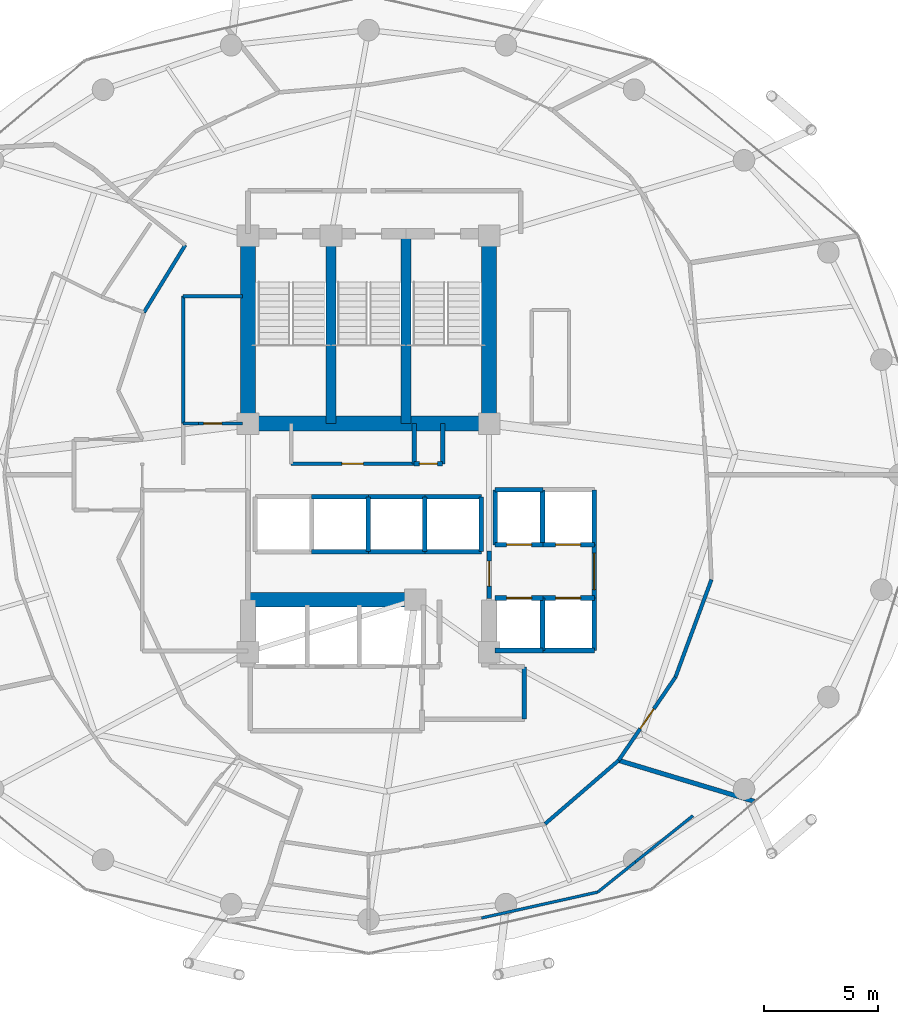
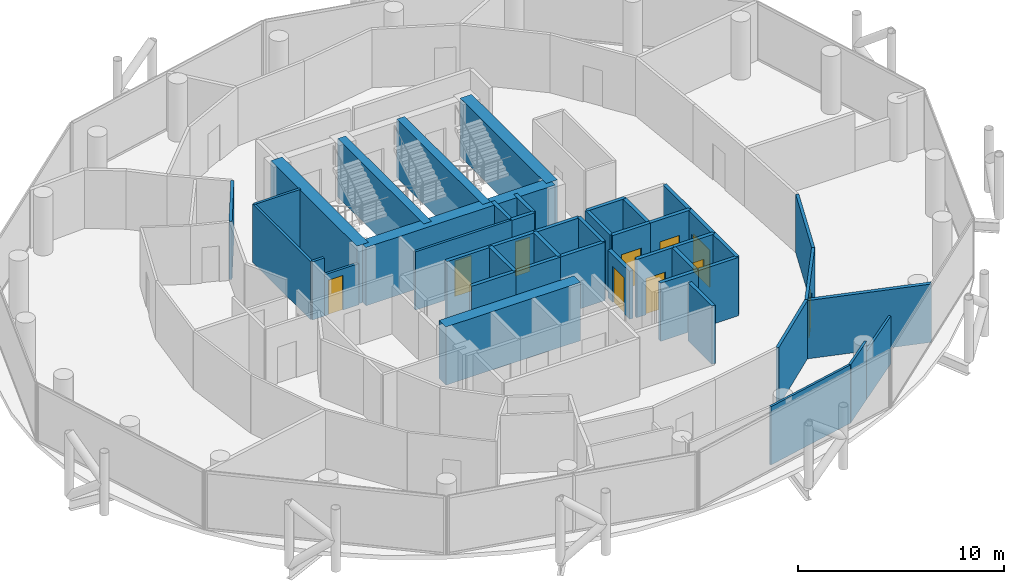
# One storey, part 23 of 26: 46 walls, 10 doors, 10 openings.
"""IFC4 building model written with IfcOpenShell, lengths in metres."""

from ifc_helpers import new_model, si_unit, direction, frame, frame_2d, origin, place, context, subcontext, project, spatial, rectangle, extrude, material, layer, layer_set, type_object, element, fill, save


model = new_model("IFC4")

# Units and contexts
model_context = context("Model", 3, precision=1e-05, world=origin(), true_north=direction((0.0, 1.0)))
body_context = subcontext(model_context, "Body", "Model", "MODEL_VIEW")
ifc_project = project(units=[si_unit("LENGTHUNIT", "METRE"), si_unit("AREAUNIT", "SQUARE_METRE"), si_unit("VOLUMEUNIT", "CUBIC_METRE"), si_unit("PLANEANGLEUNIT", "RADIAN"), si_unit("MASSUNIT", "GRAM", prefix="KILO")], contexts=[model_context])

# Site, building, storey
site_placement = place(None, origin())
site = spatial("IfcSite", under=ifc_project, at=site_placement, CompositionType="ELEMENT")
building_placement = place(site_placement, origin())
building = spatial("IfcBuilding", under=site, at=building_placement, Name="Nuhasar Tower", CompositionType="ELEMENT")
storey_placement = place(building_placement, frame((0.0, 0.0, 184.85009765625)))
storey = spatial("IfcBuildingStorey", under=building, at=storey_placement, Name="L45", CompositionType="ELEMENT", Elevation=184.85009765625)

# Walls
ifc_material_1 = material(Name="Concrete C50/60", Category="concrete")
ifc_layer_1 = layer(ifc_material_1, 0.449951171875)
ifc_layer_set_1 = layer_set([ifc_layer_1], Name="Concrete C50/60")
wall_type_1 = type_object("IfcWallType", Name="WL-CORE-450", PredefinedType="SHEAR", material=ifc_layer_set_1)
for number, where, z_axis, x_axis, name in (
    (1, (37.35009765625, 29.050048828125, 0.0), (0.0, 0.0, 1.0), (0.0, 1.0, 0.0), "L45 Stairwell Shear Wall ST01-E"),
    (2, (40.64990234375, 29.050048828125, 0.0), (0.0, 0.0, 1.0), (0.0, 1.0, 0.0), "L45 Stairwell Shear Wall ST03-E"),
):
    element("IfcWall", number, at=place(storey_placement, frame(where, z_axis=z_axis, x_axis=x_axis)), inside=storey, type_object=wall_type_1, Name=name, PredefinedType="SHEAR", context=body_context, shape_type="SweptSolid", body=[
        extrude(rectangle(XDim=8.349853515625, YDim=0.449951171875, at=frame_2d((4.1748046875, 0.0))), origin(), (0.0, 0.0, 1.0), 3.449951171875),
    ])
ifc_material_2 = material(Name="Concrete C65/80", Category="concrete")
ifc_layer_2 = layer(ifc_material_2, 0.64990234375)
ifc_layer_set_2 = layer_set([ifc_layer_2], Name="Concrete C65/80")
wall_type_2 = type_object("IfcWallType", Name="WL-CORE-650", PredefinedType="SHEAR", material=ifc_layer_set_2)
for number, where, z_axis, x_axis, name in (
    (3, (33.699951171875, 29.050048828125, 0.0), (0.0, 0.0, 1.0), (0.0, 1.0, 0.0), "L45 Core Shear Wall CW-NW CW-650"),
    (4, (44.300048828125, 29.050048828125, 0.0), (0.0, 0.0, 1.0), (0.0, 1.0, 0.0), "L45 Core Shear Wall CW-NE CW-650"),
):
    element("IfcWall", number, at=place(storey_placement, frame(where, z_axis=z_axis, x_axis=x_axis)), inside=storey, type_object=wall_type_2, Name=name, PredefinedType="SHEAR", context=body_context, shape_type="SweptSolid", body=[
        extrude(rectangle(XDim=8.349853515625, YDim=0.64990234375, at=frame_2d((4.1748046875, 0.0))), origin(), (0.0, 0.0, 1.0), 3.449951171875),
    ])
wall_1_placement = place(storey_placement, frame((33.699951171875, 29.050048828125, 0.0), z_axis=(0.0, 0.0, 1.0), x_axis=(1.0, 0.0, 0.0)))
element("IfcWall", 5, at=wall_1_placement, inside=storey, type_object=wall_type_2, Name="L45 Core Shear Wall CW-N1 CW-650", PredefinedType="SHEAR", context=body_context, shape_type="SweptSolid", body=[
    extrude(rectangle(XDim=10.60009765625, YDim=0.64990234375, at=frame_2d((5.300048828125, 0.0))), origin(), (0.0, 0.0, 1.0), 3.449951171875),
])
wall_2_placement = place(storey_placement, frame((33.699951171875, 21.300048828125, 0.0), z_axis=(0.0, 0.0, 1.0), x_axis=(1.0, 0.0, 0.0)))
element("IfcWall", 6, at=wall_2_placement, inside=storey, type_object=wall_type_2, Name="L45 Core Shear Wall CW-S1 CW-650", PredefinedType="SHEAR", context=body_context, shape_type="SweptSolid", body=[
    extrude(rectangle(XDim=7.550048828125, YDim=0.64990234375, at=frame_2d((3.77490234375, 0.0))), origin(), (0.0, 0.0, 1.0), 3.449951171875),
])
ifc_material_3 = material(Name="Gypsum Board", Category="gypsum")
ifc_layer_3 = layer(ifc_material_3, 0.159912109375)
ifc_layer_set_3 = layer_set([ifc_layer_3], Name="Gypsum Board")
wall_type_3 = type_object("IfcWallType", Name="WL-CORR-160", PredefinedType="PARTITIONING", material=ifc_layer_set_3)
wall_3_placement = place(storey_placement, frame((46.760986328125, 11.445068359375, 0.0), z_axis=(0.0, 0.0, 1.0), x_axis=(0.756921867837, 0.653505383291, 0.0)))
element("IfcWall", 7, at=wall_3_placement, inside=storey, type_object=wall_type_3, Name="L45 Interior Partition CORR-40", PredefinedType="PARTITIONING", context=body_context, shape_type="SweptSolid", body=[
    extrude(rectangle(XDim=4.275390625, YDim=0.159912109375, at=frame_2d((2.1376953125, 0.0))), origin(), (0.0, 0.0, 1.0), 3.449951171875),
])

# Wall, opening, door
wall_4_placement = place(storey_placement, frame((52.49609375, 17.89892578125, 0.0), z_axis=(0.0, 0.0, 1.0), x_axis=(-0.563895671103, -0.825846034144, 0.0)))
wall_4 = element("IfcWall", 8, at=wall_4_placement, inside=storey, type_object=wall_type_3, Name="L45 Interior Partition CORR-42", PredefinedType="PARTITIONING", context=body_context, shape_type="SweptSolid", body=[
    extrude(rectangle(XDim=4.431640625, YDim=0.159912109375, at=frame_2d((2.2158203125, 0.0))), origin(), (0.0, 0.0, 1.0), 3.449951171875),
])
opening_1_placement = place(wall_4_placement, frame((1.69091796875, 0.0, 0.0)))
opening_1 = element("IfcOpeningElement", 9, at=opening_1_placement, cuts=wall_4, Name="Opening DU-01", PredefinedType="OPENING", context=body_context, shape_type="SweptSolid", body=[
    extrude(rectangle(XDim=1.050048828125, YDim=2.14990234375, at=frame_2d((0.52490234375, 1.074951171875))), frame((0.0, 0.08984375, 0.0), z_axis=(0.0, -1.0, 0.0), x_axis=(1.0, 0.0, 0.0)), (0.0, 0.0, 1.0), 0.179931640625),
])
ifc_material_4 = material(Name="Timber Oak", Category="wood")
door_type_1 = type_object("IfcDoorType", Name="DR-SUITE-FD60-1050", OperationType="NOTDEFINED", PredefinedType="DOOR", material=ifc_material_4)
door_1_placement = place(opening_1_placement, origin())
door_1 = element("IfcDoor", 10, at=door_1_placement, inside=storey, type_object=door_type_1, Name="L45 Royal Sky Majlis Lounge Entrance Door", OperationType="SINGLE_SWING_RIGHT", OverallHeight=2.14990234375, OverallWidth=1.050048828125, PredefinedType="DOOR", context=body_context, shape_type="SweptSolid", body=[
    extrude(rectangle(XDim=1.050048828125, YDim=2.14990234375, at=frame_2d((0.52490234375, 1.074951171875))), frame((0.0, 0.02490234375, 0.0), z_axis=(0.0, -1.0, 0.0), x_axis=(1.0, 0.0, 0.0)), (0.0, 0.0, 1.0), 0.050048828125),
])
fill(opening_1, door_1)

# Walls
wall_5_placement = place(storey_placement, frame((52.49609375, 17.89892578125, 0.0), z_axis=(0.0, 0.0, 1.0), x_axis=(0.346222869932, 0.93815229272, 0.0)))
element("IfcWall", 11, at=wall_5_placement, inside=storey, type_object=wall_type_3, Name="L45 Interior Partition CORR-44", PredefinedType="PARTITIONING", context=body_context, shape_type="SweptSolid", body=[
    extrude(rectangle(XDim=4.568603515625, YDim=0.159912109375, at=frame_2d((2.2841796875, 0.0))), origin(), (0.0, 0.0, 1.0), 3.449951171875),
])
wall_6_placement = place(storey_placement, frame((30.93896484375, 36.89697265625, 0.0), z_axis=(0.0, 0.0, 1.0), x_axis=(-0.522486120877, -0.852647789823, 0.0)))
element("IfcWall", 12, at=wall_6_placement, inside=storey, type_object=wall_type_3, Name="L45 Interior Partition HWEST-CORE-N-18", PredefinedType="PARTITIONING", context=body_context, shape_type="SweptSolid", body=[
    extrude(rectangle(XDim=3.468017578125, YDim=0.159912109375, at=frame_2d((1.73388671875, 0.0))), origin(), (0.0, 0.0, 1.0), 3.449951171875),
])

# Wall, opening, door
ifc_material_5 = material(Name="Concrete C45/55", Category="concrete")
ifc_layer_4 = layer(ifc_material_5, 0.199951171875)
ifc_layer_set_4 = layer_set([ifc_layer_4], Name="Concrete C45/55")
wall_type_4 = type_object("IfcWallType", Name="WL-LOBBY-200", PredefinedType="SOLIDWALL", material=ifc_layer_set_4)
wall_7_placement = place(storey_placement, frame((48.929931640625, 21.3798828125, 0.0), z_axis=(0.0, 0.0, 1.0), x_axis=(0.0, 1.0, 0.0)))
wall_7 = element("IfcWall", 13, at=wall_7_placement, inside=storey, type_object=wall_type_4, Name="L45 Interior Partition LLBM-E", PredefinedType="SOLIDWALL", context=body_context, shape_type="SweptSolid", body=[
    extrude(rectangle(XDim=2.340087890625, YDim=0.199951171875, at=frame_2d((1.169921875, 0.0))), origin(), (0.0, 0.0, 1.0), 3.449951171875),
])
opening_2_placement = place(wall_7_placement, frame((0.3701171875, 0.0, 0.0)))
opening_2 = element("IfcOpeningElement", 14, at=opening_2_placement, cuts=wall_7, Name="Opening DC-01", PredefinedType="OPENING", context=body_context, shape_type="SweptSolid", body=[
    extrude(rectangle(XDim=1.60009765625, YDim=2.199951171875, at=frame_2d((0.800048828125, 1.10009765625))), frame((0.0, 0.10986328125, 0.0), z_axis=(0.0, -1.0, 0.0), x_axis=(1.0, 0.0, 0.0)), (0.0, 0.0, 1.0), 0.219970703125),
])
ifc_material_6 = material(Name="Steel S355", Category="steel")
door_type_2 = type_object("IfcDoorType", Name="DR-CORR-FD60-1600", OperationType="DOUBLE_DOOR_SINGLE_SWING", PredefinedType="DOOR", material=ifc_material_6)
door_2_placement = place(opening_2_placement, origin())
door_2 = element("IfcDoor", 15, at=door_2_placement, inside=storey, type_object=door_type_2, Name="L45 Mid-Rise Lift Lobby East Entry", OperationType="DOUBLE_DOOR_SINGLE_SWING", OverallHeight=2.199951171875, OverallWidth=1.60009765625, PredefinedType="DOOR", context=body_context, shape_type="SweptSolid", body=[
    extrude(rectangle(XDim=1.60009765625, YDim=2.199951171875, at=frame_2d((0.800048828125, 1.10009765625))), frame((0.0, 0.02490234375, 0.0), z_axis=(0.0, -1.0, 0.0), x_axis=(1.0, 0.0, 0.0)), (0.0, 0.0, 1.0), 0.050048828125),
])
fill(opening_2, door_2)

wall_8_placement = place(storey_placement, frame((44.300048828125, 21.35009765625, 0.0), z_axis=(0.0, 0.0, 1.0), x_axis=(0.0, 1.0, 0.0)))
wall_8 = element("IfcWall", 16, at=wall_8_placement, inside=storey, type_object=wall_type_4, Name="L45 Interior Partition LLBH-E", PredefinedType="SOLIDWALL", context=body_context, shape_type="SweptSolid", body=[
    extrude(rectangle(XDim=2.099853515625, YDim=0.199951171875, at=frame_2d((1.0498046875, 0.0))), origin(), (0.0, 0.0, 1.0), 2.8349609375),
])
opening_3_placement = place(wall_8_placement, frame((0.550048828125, 0.0, 0.0)))
opening_3 = element("IfcOpeningElement", 17, at=opening_3_placement, cuts=wall_8, Name="Opening DS-02", PredefinedType="OPENING", context=body_context, shape_type="SweptSolid", body=[
    extrude(rectangle(XDim=1.10009765625, YDim=2.14990234375, at=frame_2d((0.550048828125, 1.074951171875))), frame((0.0, 0.10986328125, 0.0), z_axis=(0.0, -1.0, 0.0), x_axis=(1.0, 0.0, 0.0)), (0.0, 0.0, 1.0), 0.219970703125),
])
door_type_3 = type_object("IfcDoorType", Name="DR-FFL-FD120-1100", OperationType="NOTDEFINED", PredefinedType="DOOR", material=ifc_material_6)
door_3_placement = place(opening_3_placement, origin())
door_3 = element("IfcDoor", 18, at=door_3_placement, inside=storey, type_object=door_type_3, Name="L45 High-Rise Lobby East Door", OperationType="SINGLE_SWING_RIGHT", OverallHeight=2.14990234375, OverallWidth=1.10009765625, PredefinedType="DOOR", context=body_context, shape_type="SweptSolid", body=[
    extrude(rectangle(XDim=1.10009765625, YDim=2.14990234375, at=frame_2d((0.550048828125, 1.074951171875))), frame((0.0, 0.02490234375, 0.0), z_axis=(0.0, -1.0, 0.0), x_axis=(1.0, 0.0, 0.0)), (0.0, 0.0, 1.0), 0.050048828125),
])
fill(opening_3, door_3)

# Walls
wall_9_placement = place(storey_placement, frame((45.85009765625, 16.050048828125, 0.0), z_axis=(0.0, 0.0, 1.0), x_axis=(0.0, 1.0, 0.0)))
element("IfcWall", 19, at=wall_9_placement, inside=storey, type_object=wall_type_4, Name="L45 Interior Partition SVLV-E", PredefinedType="SOLIDWALL", context=body_context, shape_type="SweptSolid", body=[
    extrude(rectangle(XDim=2.300048828125, YDim=0.199951171875, at=frame_2d((1.14990234375, 0.0))), origin(), (0.0, 0.0, 1.0), 3.449951171875),
])
ifc_layer_5 = layer(ifc_material_3, 0.125)
ifc_layer_set_5 = layer_set([ifc_layer_5], Name="Gypsum Board")
wall_type_5 = type_object("IfcWallType", Name="WL-PART-125", PredefinedType="PARTITIONING", material=ifc_layer_set_5)
wall_10_placement = place(storey_placement, frame((43.968994140625, 7.30810546875, 0.0), z_axis=(0.0, 0.0, 1.0), x_axis=(0.976029965956, 0.21763617704, 0.0)))
element("IfcWall", 20, at=wall_10_placement, inside=storey, type_object=wall_type_5, Name="L45 Interior Partition HSAL-01-38", PredefinedType="PARTITIONING", context=body_context, shape_type="SweptSolid", body=[
    extrude(rectangle(XDim=5.237548828125, YDim=0.125, at=frame_2d((2.61865234375, 0.0))), origin(), (0.0, 0.0, 1.0), 3.449951171875),
])
wall_11_placement = place(storey_placement, frame((49.0810546875, 8.447998046875, 0.0), z_axis=(0.0, 0.0, 1.0), x_axis=(0.779800892582, 0.626027609558, 0.0)))
element("IfcWall", 21, at=wall_11_placement, inside=storey, type_object=wall_type_5, Name="L45 Interior Partition HSAL-01-40", PredefinedType="PARTITIONING", context=body_context, shape_type="SweptSolid", body=[
    extrude(rectangle(XDim=2.12109375, YDim=0.125, at=frame_2d((1.060546875, 0.0))), origin(), (0.0, 0.0, 1.0), 3.449951171875),
])
wall_12_placement = place(storey_placement, frame((50.735107421875, 9.77587890625, 0.0), z_axis=(0.0, 0.0, 1.0), x_axis=(0.779788382675, 0.626043191997, 0.0)))
element("IfcWall", 22, at=wall_12_placement, inside=storey, type_object=wall_type_5, Name="L45 Interior Partition HSAL-01-40", PredefinedType="PARTITIONING", context=body_context, shape_type="SweptSolid", body=[
    extrude(rectangle(XDim=3.244140625, YDim=0.125, at=frame_2d((1.6220703125, 0.0))), origin(), (0.0, 0.0, 1.0), 2.829833984375),
])
ifc_layer_6 = layer(ifc_material_5, 0.199951171875)
ifc_layer_set_6 = layer_set([ifc_layer_6], Name="Concrete C45/55")
wall_type_6 = type_object("IfcWallType", Name="WL-SHAFT-200", PredefinedType="SOLIDWALL", material=ifc_layer_set_6)
for number, where, z_axis, x_axis, name in (
    (23, (41.0, 27.280029296875, 0.0), (0.0, 0.0, 1.0), (0.0, 1.0, 0.0), "L45 Interior Partition RSRN-W"),
    (24, (42.260009765625, 27.280029296875, 0.0), (0.0, 0.0, 1.0), (0.0, 1.0, 0.0), "L45 Interior Partition RSRN-E"),
):
    element("IfcWall", number, at=place(storey_placement, frame(where, z_axis=z_axis, x_axis=x_axis)), inside=storey, type_object=wall_type_6, Name=name, PredefinedType="SOLIDWALL", context=body_context, shape_type="SweptSolid", body=[
        extrude(rectangle(XDim=1.77001953125, YDim=0.199951171875, at=frame_2d((0.885009765625, 0.0))), origin(), (0.0, 0.0, 1.0), 3.449951171875),
    ])

# Wall, opening, door
wall_13_placement = place(storey_placement, frame((41.0, 27.280029296875, 0.0), z_axis=(0.0, 0.0, 1.0), x_axis=(1.0, 0.0, 0.0)))
wall_13 = element("IfcWall", 25, at=wall_13_placement, inside=storey, type_object=wall_type_6, Name="L45 Interior Partition RSRN-S", PredefinedType="SOLIDWALL", context=body_context, shape_type="SweptSolid", body=[
    extrude(rectangle(XDim=1.260009765625, YDim=0.199951171875, at=frame_2d((0.6298828125, 0.0))), origin(), (0.0, 0.0, 1.0), 3.449951171875),
])
opening_4_placement = place(wall_13_placement, frame((0.22998046875, 0.0, 0.0)))
opening_4 = element("IfcOpeningElement", 26, at=opening_4_placement, cuts=wall_13, Name="Opening DM-01", PredefinedType="OPENING", context=body_context, shape_type="SweptSolid", body=[
    extrude(rectangle(XDim=0.800048828125, YDim=2.050048828125, at=frame_2d((0.39990234375, 1.02490234375))), frame((0.0, 0.10986328125, 0.0), z_axis=(0.0, -1.0, 0.0), x_axis=(1.0, 0.0, 0.0)), (0.0, 0.0, 1.0), 0.219970703125),
])
door_type_4 = type_object("IfcDoorType", Name="DR-RISER-FD60-800", OperationType="NOTDEFINED", PredefinedType="DOOR", material=ifc_material_6)
door_4_placement = place(opening_4_placement, origin())
door_4 = element("IfcDoor", 27, at=door_4_placement, inside=storey, type_object=door_type_4, Name="L45 North Smoke Riser Door", OperationType="SINGLE_SWING_RIGHT", OverallHeight=2.050048828125, OverallWidth=0.800048828125, PredefinedType="DOOR", context=body_context, shape_type="SweptSolid", body=[
    extrude(rectangle(XDim=0.800048828125, YDim=2.050048828125, at=frame_2d((0.39990234375, 1.02490234375))), frame((0.0, 0.02490234375, 0.0), z_axis=(0.0, -1.0, 0.0), x_axis=(1.0, 0.0, 0.0)), (0.0, 0.0, 1.0), 0.050048828125),
])
fill(opening_4, door_4)

wall_14_placement = place(storey_placement, frame((44.570068359375, 23.719970703125, 0.0), z_axis=(0.0, 0.0, 1.0), x_axis=(1.0, 0.0, 0.0)))
wall_14 = element("IfcWall", 28, at=wall_14_placement, inside=storey, type_object=wall_type_6, Name="L45 Interior Partition SHF-PL-M01-S", PredefinedType="SOLIDWALL", context=body_context, shape_type="SweptSolid", body=[
    extrude(rectangle(XDim=2.10986328125, YDim=0.199951171875, at=frame_2d((1.054931640625, 0.0))), origin(), (0.0, 0.0, 1.0), 3.449951171875),
])
opening_5_placement = place(wall_14_placement, frame((0.5048828125, 0.0, 0.0)))
opening_5 = element("IfcOpeningElement", 29, at=opening_5_placement, cuts=wall_14, Name="Opening LD-M01", PredefinedType="OPENING", context=body_context, shape_type="SweptSolid", body=[
    extrude(rectangle(XDim=1.10009765625, YDim=2.14990234375, at=frame_2d((0.550048828125, 1.074951171875))), frame((0.0, 0.10986328125, 0.0), z_axis=(0.0, -1.0, 0.0), x_axis=(1.0, 0.0, 0.0)), (0.0, 0.0, 1.0), 0.219970703125),
])
ifc_material_7 = material(Name="Stainless Steel 316L", Category="steel")
door_type_5 = type_object("IfcDoorType", Name="LD-PAX-1100", OperationType="DOUBLE_DOOR_SLIDING", PredefinedType="DOOR", material=ifc_material_7)
door_5_placement = place(opening_5_placement, origin())
door_5 = element("IfcDoor", 30, at=door_5_placement, inside=storey, type_object=door_type_5, Name="L45 Lift Landing Door PL-M01", OperationType="DOUBLE_DOOR_SLIDING", OverallHeight=2.14990234375, OverallWidth=1.10009765625, PredefinedType="DOOR", context=body_context, shape_type="SweptSolid", body=[
    extrude(rectangle(XDim=1.10009765625, YDim=2.14990234375, at=frame_2d((0.550048828125, 1.074951171875))), frame((0.0, 0.02490234375, 0.0), z_axis=(0.0, -1.0, 0.0), x_axis=(1.0, 0.0, 0.0)), (0.0, 0.0, 1.0), 0.050048828125),
])
fill(opening_5, door_5)

# Walls
wall_15_placement = place(storey_placement, frame((44.570068359375, 26.1298828125, 0.0), z_axis=(0.0, 0.0, 1.0), x_axis=(1.0, 0.0, 0.0)))
element("IfcWall", 31, at=wall_15_placement, inside=storey, type_object=wall_type_6, Name="L45 Interior Partition SHF-PL-M01-N", PredefinedType="SOLIDWALL", context=body_context, shape_type="SweptSolid", body=[
    extrude(rectangle(XDim=2.10986328125, YDim=0.199951171875, at=frame_2d((1.054931640625, 0.0))), origin(), (0.0, 0.0, 1.0), 3.449951171875),
])
for number, where, z_axis, x_axis, name in (
    (32, (44.570068359375, 23.719970703125, 0.0), (0.0, 0.0, 1.0), (0.0, 1.0, 0.0), "L45 Interior Partition SHF-PL-M01-W"),
    (33, (46.64990234375, 23.719970703125, 0.0), (0.0, 0.0, 1.0), (0.0, 1.0, 0.0), "L45 Interior Partition SHF-PL-M01-E"),
):
    element("IfcWall", number, at=place(storey_placement, frame(where, z_axis=z_axis, x_axis=x_axis)), inside=storey, type_object=wall_type_6, Name=name, PredefinedType="SOLIDWALL", context=body_context, shape_type="SweptSolid", body=[
        extrude(rectangle(XDim=2.409912109375, YDim=0.199951171875, at=frame_2d((1.205078125, 0.0))), origin(), (0.0, 0.0, 1.0), 3.449951171875),
    ])

# Wall, opening, door
wall_16_placement = place(storey_placement, frame((46.6201171875, 23.719970703125, 0.0), z_axis=(0.0, 0.0, 1.0), x_axis=(1.0, 0.0, 0.0)))
wall_16 = element("IfcWall", 34, at=wall_16_placement, inside=storey, type_object=wall_type_6, Name="L45 Interior Partition SHF-PL-M02-S", PredefinedType="SOLIDWALL", context=body_context, shape_type="SweptSolid", body=[
    extrude(rectangle(XDim=2.309814453125, YDim=0.199951171875, at=frame_2d((1.15478515625, 0.0))), origin(), (0.0, 0.0, 1.0), 3.449951171875),
])
opening_6_placement = place(wall_16_placement, frame((0.60498046875, 0.0, 0.0)))
opening_6 = element("IfcOpeningElement", 35, at=opening_6_placement, cuts=wall_16, Name="Opening LD-M02", PredefinedType="OPENING", context=body_context, shape_type="SweptSolid", body=[
    extrude(rectangle(XDim=1.10009765625, YDim=2.14990234375, at=frame_2d((0.550048828125, 1.074951171875))), frame((0.0, 0.10986328125, 0.0), z_axis=(0.0, -1.0, 0.0), x_axis=(1.0, 0.0, 0.0)), (0.0, 0.0, 1.0), 0.219970703125),
])
door_6_placement = place(opening_6_placement, origin())
door_6 = element("IfcDoor", 36, at=door_6_placement, inside=storey, type_object=door_type_5, Name="L45 Lift Landing Door PL-M02", OperationType="DOUBLE_DOOR_SLIDING", OverallHeight=2.14990234375, OverallWidth=1.10009765625, PredefinedType="DOOR", context=body_context, shape_type="SweptSolid", body=[
    extrude(rectangle(XDim=1.10009765625, YDim=2.14990234375, at=frame_2d((0.550048828125, 1.074951171875))), frame((0.0, 0.02490234375, 0.0), z_axis=(0.0, -1.0, 0.0), x_axis=(1.0, 0.0, 0.0)), (0.0, 0.0, 1.0), 0.050048828125),
])
fill(opening_6, door_6)

# Walls
wall_17_placement = place(storey_placement, frame((48.929931640625, 23.719970703125, 0.0), z_axis=(0.0, 0.0, 1.0), x_axis=(0.0, 1.0, 0.0)))
element("IfcWall", 37, at=wall_17_placement, inside=storey, type_object=wall_type_6, Name="L45 Interior Partition SHF-PL-M02-E", PredefinedType="SOLIDWALL", context=body_context, shape_type="SweptSolid", body=[
    extrude(rectangle(XDim=2.409912109375, YDim=0.199951171875, at=frame_2d((1.205078125, 0.0))), origin(), (0.0, 0.0, 1.0), 3.449951171875),
])
wall_18_placement = place(storey_placement, frame((44.570068359375, 19.070068359375, 0.0), z_axis=(0.0, 0.0, 1.0), x_axis=(1.0, 0.0, 0.0)))
element("IfcWall", 38, at=wall_18_placement, inside=storey, type_object=wall_type_6, Name="L45 Interior Partition SHF-PL-M03-S", PredefinedType="SOLIDWALL", context=body_context, shape_type="SweptSolid", body=[
    extrude(rectangle(XDim=2.10986328125, YDim=0.199951171875, at=frame_2d((1.054931640625, 0.0))), origin(), (0.0, 0.0, 1.0), 3.449951171875),
])

# Wall, opening, door
wall_19_placement = place(storey_placement, frame((44.570068359375, 21.3798828125, 0.0), z_axis=(0.0, 0.0, 1.0), x_axis=(1.0, 0.0, 0.0)))
wall_19 = element("IfcWall", 39, at=wall_19_placement, inside=storey, type_object=wall_type_6, Name="L45 Interior Partition SHF-PL-M03-N", PredefinedType="SOLIDWALL", context=body_context, shape_type="SweptSolid", body=[
    extrude(rectangle(XDim=2.10986328125, YDim=0.199951171875, at=frame_2d((1.054931640625, 0.0))), origin(), (0.0, 0.0, 1.0), 3.449951171875),
])
opening_7_placement = place(wall_19_placement, frame((0.5048828125, 0.0, 0.0)))
opening_7 = element("IfcOpeningElement", 40, at=opening_7_placement, cuts=wall_19, Name="Opening LD-M03", PredefinedType="OPENING", context=body_context, shape_type="SweptSolid", body=[
    extrude(rectangle(XDim=1.10009765625, YDim=2.14990234375, at=frame_2d((0.550048828125, 1.074951171875))), frame((0.0, 0.10986328125, 0.0), z_axis=(0.0, -1.0, 0.0), x_axis=(1.0, 0.0, 0.0)), (0.0, 0.0, 1.0), 0.219970703125),
])
door_7_placement = place(opening_7_placement, origin())
door_7 = element("IfcDoor", 41, at=door_7_placement, inside=storey, type_object=door_type_5, Name="L45 Lift Landing Door PL-M03", OperationType="DOUBLE_DOOR_SLIDING", OverallHeight=2.14990234375, OverallWidth=1.10009765625, PredefinedType="DOOR", context=body_context, shape_type="SweptSolid", body=[
    extrude(rectangle(XDim=1.10009765625, YDim=2.14990234375, at=frame_2d((0.550048828125, 1.074951171875))), frame((0.0, 0.02490234375, 0.0), z_axis=(0.0, -1.0, 0.0), x_axis=(1.0, 0.0, 0.0)), (0.0, 0.0, 1.0), 0.050048828125),
])
fill(opening_7, door_7)

# Walls
for number, where, z_axis, x_axis, name in (
    (42, (46.64990234375, 19.070068359375, 0.0), (0.0, 0.0, 1.0), (0.0, 1.0, 0.0), "L45 Interior Partition SHF-PL-M03-E"),
    (43, (46.6201171875, 19.070068359375, 0.0), (0.0, 0.0, 1.0), (1.0, 0.0, 0.0), "L45 Interior Partition SHF-PL-M04-S"),
):
    element("IfcWall", number, at=place(storey_placement, frame(where, z_axis=z_axis, x_axis=x_axis)), inside=storey, type_object=wall_type_6, Name=name, PredefinedType="SOLIDWALL", context=body_context, shape_type="SweptSolid", body=[
        extrude(rectangle(XDim=2.309814453125, YDim=0.199951171875, at=frame_2d((1.15478515625, 0.0))), origin(), (0.0, 0.0, 1.0), 3.449951171875),
    ])

# Wall, opening, door
wall_20_placement = place(storey_placement, frame((46.6201171875, 21.3798828125, 0.0), z_axis=(0.0, 0.0, 1.0), x_axis=(1.0, 0.0, 0.0)))
wall_20 = element("IfcWall", 44, at=wall_20_placement, inside=storey, type_object=wall_type_6, Name="L45 Interior Partition SHF-PL-M04-N", PredefinedType="SOLIDWALL", context=body_context, shape_type="SweptSolid", body=[
    extrude(rectangle(XDim=2.309814453125, YDim=0.199951171875, at=frame_2d((1.15478515625, 0.0))), origin(), (0.0, 0.0, 1.0), 3.449951171875),
])
opening_8_placement = place(wall_20_placement, frame((0.60498046875, 0.0, 0.0)))
opening_8 = element("IfcOpeningElement", 45, at=opening_8_placement, cuts=wall_20, Name="Opening LD-M04", PredefinedType="OPENING", context=body_context, shape_type="SweptSolid", body=[
    extrude(rectangle(XDim=1.10009765625, YDim=2.14990234375, at=frame_2d((0.550048828125, 1.074951171875))), frame((0.0, 0.10986328125, 0.0), z_axis=(0.0, -1.0, 0.0), x_axis=(1.0, 0.0, 0.0)), (0.0, 0.0, 1.0), 0.219970703125),
])
door_8_placement = place(opening_8_placement, origin())
door_8 = element("IfcDoor", 46, at=door_8_placement, inside=storey, type_object=door_type_5, Name="L45 Lift Landing Door PL-M04", OperationType="DOUBLE_DOOR_SLIDING", OverallHeight=2.14990234375, OverallWidth=1.10009765625, PredefinedType="DOOR", context=body_context, shape_type="SweptSolid", body=[
    extrude(rectangle(XDim=1.10009765625, YDim=2.14990234375, at=frame_2d((0.550048828125, 1.074951171875))), frame((0.0, 0.02490234375, 0.0), z_axis=(0.0, -1.0, 0.0), x_axis=(1.0, 0.0, 0.0)), (0.0, 0.0, 1.0), 0.050048828125),
])
fill(opening_8, door_8)

# Walls
wall_21_placement = place(storey_placement, frame((48.929931640625, 19.070068359375, 0.0), z_axis=(0.0, 0.0, 1.0), x_axis=(0.0, 1.0, 0.0)))
element("IfcWall", 47, at=wall_21_placement, inside=storey, type_object=wall_type_6, Name="L45 Interior Partition SHF-PL-M04-E", PredefinedType="SOLIDWALL", context=body_context, shape_type="SweptSolid", body=[
    extrude(rectangle(XDim=2.309814453125, YDim=0.199951171875, at=frame_2d((1.15478515625, 0.0))), origin(), (0.0, 0.0, 1.0), 3.449951171875),
])
for number, where, z_axis, x_axis, name in (
    (48, (36.5, 23.419921875, 0.0), (0.0, 0.0, 1.0), (1.0, 0.0, 0.0), "L45 Interior Partition SHF-PL-H02-S"),
    (49, (36.5, 25.830078125, 0.0), (0.0, 0.0, 1.0), (1.0, 0.0, 0.0), "L45 Interior Partition SHF-PL-H02-N"),
):
    element("IfcWall", number, at=place(storey_placement, frame(where, z_axis=z_axis, x_axis=x_axis)), inside=storey, type_object=wall_type_6, Name=name, PredefinedType="SOLIDWALL", context=body_context, shape_type="SweptSolid", body=[
        extrude(rectangle(XDim=2.5, YDim=0.199951171875, at=frame_2d((1.25, 0.0))), origin(), (0.0, 0.0, 1.0), 3.449951171875),
    ])
wall_22_placement = place(storey_placement, frame((38.989990234375, 23.419921875, 0.0), z_axis=(0.0, 0.0, 1.0), x_axis=(0.0, 1.0, 0.0)))
element("IfcWall", 50, at=wall_22_placement, inside=storey, type_object=wall_type_6, Name="L45 Interior Partition SHF-PL-H02-E", PredefinedType="SOLIDWALL", context=body_context, shape_type="SweptSolid", body=[
    extrude(rectangle(XDim=2.41015625, YDim=0.199951171875, at=frame_2d((1.205078125, 0.0))), origin(), (0.0, 0.0, 1.0), 3.449951171875),
])
for number, where, z_axis, x_axis, name in (
    (51, (38.97998046875, 23.419921875, 0.0), (0.0, 0.0, 1.0), (1.0, 0.0, 0.0), "L45 Interior Partition SHF-PL-H03-S"),
    (52, (38.97998046875, 25.830078125, 0.0), (0.0, 0.0, 1.0), (1.0, 0.0, 0.0), "L45 Interior Partition SHF-PL-H03-N"),
):
    element("IfcWall", number, at=place(storey_placement, frame(where, z_axis=z_axis, x_axis=x_axis)), inside=storey, type_object=wall_type_6, Name=name, PredefinedType="SOLIDWALL", context=body_context, shape_type="SweptSolid", body=[
        extrude(rectangle(XDim=2.5, YDim=0.199951171875, at=frame_2d((1.25, 0.0))), origin(), (0.0, 0.0, 1.0), 3.449951171875),
    ])
wall_23_placement = place(storey_placement, frame((41.469970703125, 23.419921875, 0.0), z_axis=(0.0, 0.0, 1.0), x_axis=(0.0, 1.0, 0.0)))
element("IfcWall", 53, at=wall_23_placement, inside=storey, type_object=wall_type_6, Name="L45 Interior Partition SHF-PL-H03-E", PredefinedType="SOLIDWALL", context=body_context, shape_type="SweptSolid", body=[
    extrude(rectangle(XDim=2.41015625, YDim=0.199951171875, at=frame_2d((1.205078125, 0.0))), origin(), (0.0, 0.0, 1.0), 3.449951171875),
])
for number, where, z_axis, x_axis, name in (
    (54, (41.4599609375, 23.419921875, 0.0), (0.0, 0.0, 1.0), (1.0, 0.0, 0.0), "L45 Interior Partition SHF-PL-H04-S"),
    (55, (41.4599609375, 25.830078125, 0.0), (0.0, 0.0, 1.0), (1.0, 0.0, 0.0), "L45 Interior Partition SHF-PL-H04-N"),
):
    element("IfcWall", number, at=place(storey_placement, frame(where, z_axis=z_axis, x_axis=x_axis)), inside=storey, type_object=wall_type_6, Name=name, PredefinedType="SOLIDWALL", context=body_context, shape_type="SweptSolid", body=[
        extrude(rectangle(XDim=2.5, YDim=0.199951171875, at=frame_2d((1.25, 0.0))), origin(), (0.0, 0.0, 1.0), 3.449951171875),
    ])
wall_24_placement = place(storey_placement, frame((43.9599609375, 23.419921875, 0.0), z_axis=(0.0, 0.0, 1.0), x_axis=(0.0, 1.0, 0.0)))
element("IfcWall", 56, at=wall_24_placement, inside=storey, type_object=wall_type_6, Name="L45 Interior Partition SHF-PL-H04-E", PredefinedType="SOLIDWALL", context=body_context, shape_type="SweptSolid", body=[
    extrude(rectangle(XDim=2.41015625, YDim=0.199951171875, at=frame_2d((1.205078125, 0.0))), origin(), (0.0, 0.0, 1.0), 3.449951171875),
])
ifc_material_8 = material(Name="Concrete C40/50 precast", Category="concrete")
ifc_layer_7 = layer(ifc_material_8, 0.199951171875)
ifc_layer_set_7 = layer_set([ifc_layer_7], Name="Concrete C40/50 precast")
wall_type_7 = type_object("IfcWallType", Name="WL-UNIT-200", PredefinedType="PARTITIONING", material=ifc_layer_set_7)
wall_25_placement = place(storey_placement, frame((49.9970703125, 14.239013671875, 0.0), z_axis=(0.0, 0.0, 1.0), x_axis=(0.957278355307, -0.289168031534, 0.0)))
element("IfcWall", 57, at=wall_25_placement, inside=storey, type_object=wall_type_7, Name="L45 Interior Partition HRAD-42", PredefinedType="PARTITIONING", context=body_context, shape_type="SweptSolid", body=[
    extrude(rectangle(XDim=6.224853515625, YDim=0.199951171875, at=frame_2d((3.1123046875, 0.0))), origin(), (0.0, 0.0, 1.0), 3.449951171875),
])

# Wall, opening, door
ifc_layer_8 = layer(ifc_material_8, 0.139892578125)
ifc_layer_set_8 = layer_set([ifc_layer_8], Name="Concrete C40/50 precast")
wall_type_8 = type_object("IfcWallType", Name="WL-WET-140", PredefinedType="PARTITIONING", material=ifc_layer_set_8)
wall_26_placement = place(storey_placement, frame((35.60009765625, 27.280029296875, 0.0), z_axis=(0.0, 0.0, 1.0), x_axis=(1.0, 0.0, 0.0)))
wall_26 = element("IfcWall", 58, at=wall_26_placement, inside=storey, type_object=wall_type_8, Name="L45 Interior Partition CSVC-S", PredefinedType="PARTITIONING", context=body_context, shape_type="SweptSolid", body=[
    extrude(rectangle(XDim=5.39990234375, YDim=0.139892578125, at=frame_2d((2.699951171875, 0.0))), origin(), (0.0, 0.0, 1.0), 3.449951171875),
])
opening_9_placement = place(wall_26_placement, frame((2.22509765625, 0.0, 0.0)))
opening_9 = element("IfcOpeningElement", 59, at=opening_9_placement, cuts=wall_26, Name="Opening DA-01", PredefinedType="OPENING", context=body_context, shape_type="SweptSolid", body=[
    extrude(rectangle(XDim=0.949951171875, YDim=2.10009765625, at=frame_2d((0.47509765625, 1.050048828125))), frame((0.0, 0.080078125, 0.0), z_axis=(0.0, -1.0, 0.0), x_axis=(1.0, 0.0, 0.0)), (0.0, 0.0, 1.0), 0.159912109375),
])
door_type_6 = type_object("IfcDoorType", Name="DR-ACCWC-950", OperationType="NOTDEFINED", PredefinedType="DOOR", material=ifc_material_4)
door_9_placement = place(opening_9_placement, origin())
door_9 = element("IfcDoor", 60, at=door_9_placement, inside=storey, type_object=door_type_6, Name="L45 Core Accessible Restroom Door", OperationType="SINGLE_SWING_LEFT", OverallHeight=2.10009765625, OverallWidth=0.949951171875, PredefinedType="DOOR", context=body_context, shape_type="SweptSolid", body=[
    extrude(rectangle(XDim=0.949951171875, YDim=2.10009765625, at=frame_2d((0.47509765625, 1.050048828125))), frame((0.0, 0.02490234375, 0.0), z_axis=(0.0, -1.0, 0.0), x_axis=(1.0, 0.0, 0.0)), (0.0, 0.0, 1.0), 0.050048828125),
])
fill(opening_9, door_9)

# Wall
wall_27_placement = place(storey_placement, frame((30.85009765625, 29.050048828125, 0.0), z_axis=(0.0, 0.0, 1.0), x_axis=(1.0, 0.0, 0.0)))
element("IfcWall", 61, at=wall_27_placement, inside=storey, type_object=wall_type_8, Name="L45 Interior Partition K3-NW-S", PredefinedType="PARTITIONING", context=body_context, shape_type="SweptSolid", body=[
    extrude(rectangle(XDim=0.66796875, YDim=0.139892578125, at=frame_2d((0.333984375, 0.0))), origin(), (0.0, 0.0, 1.0), 3.449951171875),
])

# Wall, opening, door
wall_28_placement = place(storey_placement, frame((31.51806640625, 29.050048828125, 0.0), z_axis=(0.0, 0.0, 1.0), x_axis=(1.0, 0.0, 0.0)))
wall_28 = element("IfcWall", 62, at=wall_28_placement, inside=storey, type_object=wall_type_8, Name="L45 Interior Partition K3-NW-S", PredefinedType="PARTITIONING", context=body_context, shape_type="SweptSolid", body=[
    extrude(rectangle(XDim=1.931884765625, YDim=0.139892578125, at=frame_2d((0.9658203125, 0.0))), origin(), (0.0, 0.0, 1.0), 2.43994140625),
])
opening_10_placement = place(wall_28_placement, frame((0.23193359375, 0.0, 0.0)))
opening_10 = element("IfcOpeningElement", 63, at=opening_10_placement, cuts=wall_28, Name="Opening DM-01", PredefinedType="OPENING", context=body_context, shape_type="SweptSolid", body=[
    extrude(rectangle(XDim=0.800048828125, YDim=2.050048828125, at=frame_2d((0.39990234375, 1.02490234375))), frame((0.0, 0.080078125, 0.0), z_axis=(0.0, -1.0, 0.0), x_axis=(1.0, 0.0, 0.0)), (0.0, 0.0, 1.0), 0.159912109375),
])
door_10_placement = place(opening_10_placement, origin())
door_10 = element("IfcDoor", 64, at=door_10_placement, inside=storey, type_object=door_type_4, Name="L45 NW Electrical Room Door", OperationType="SINGLE_SWING_LEFT", OverallHeight=2.050048828125, OverallWidth=0.800048828125, PredefinedType="DOOR", context=body_context, shape_type="SweptSolid", body=[
    extrude(rectangle(XDim=0.800048828125, YDim=2.050048828125, at=frame_2d((0.39990234375, 1.02490234375))), frame((0.0, 0.02490234375, 0.0), z_axis=(0.0, -1.0, 0.0), x_axis=(1.0, 0.0, 0.0)), (0.0, 0.0, 1.0), 0.050048828125),
])
fill(opening_10, door_10)

# Walls
wall_29_placement = place(storey_placement, frame((30.85009765625, 34.64990234375, 0.0), z_axis=(0.0, 0.0, 1.0), x_axis=(1.0, 0.0, 0.0)))
element("IfcWall", 65, at=wall_29_placement, inside=storey, type_object=wall_type_8, Name="L45 Interior Partition K3-NW-N", PredefinedType="PARTITIONING", context=body_context, shape_type="SweptSolid", body=[
    extrude(rectangle(XDim=2.599853515625, YDim=0.139892578125, at=frame_2d((1.2998046875, 0.0))), origin(), (0.0, 0.0, 1.0), 3.449951171875),
])
wall_30_placement = place(storey_placement, frame((30.85009765625, 29.050048828125, 0.0), z_axis=(0.0, 0.0, 1.0), x_axis=(0.0, 1.0, 0.0)))
element("IfcWall", 66, at=wall_30_placement, inside=storey, type_object=wall_type_8, Name="L45 Interior Partition K3-NW-W", PredefinedType="PARTITIONING", context=body_context, shape_type="SweptSolid", body=[
    extrude(rectangle(XDim=5.599853515625, YDim=0.139892578125, at=frame_2d((2.7998046875, 0.0))), origin(), (0.0, 0.0, 1.0), 3.449951171875),
])

save(model, "model.ifc")
